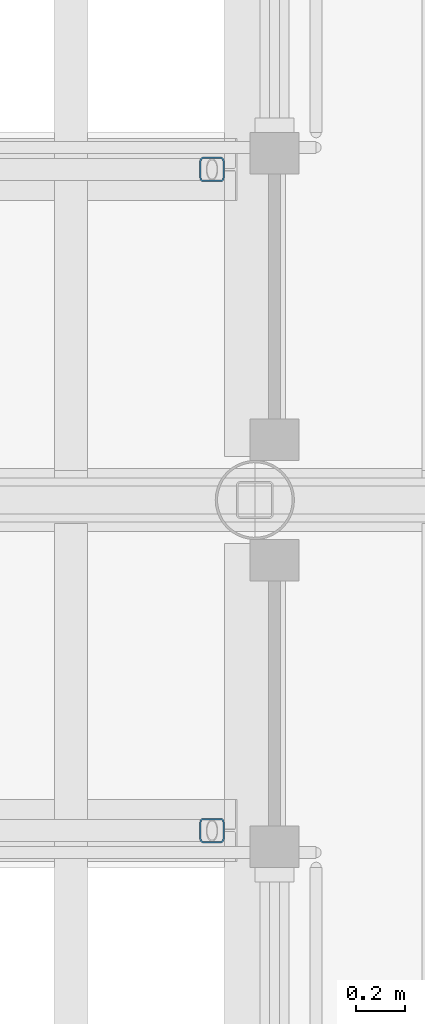
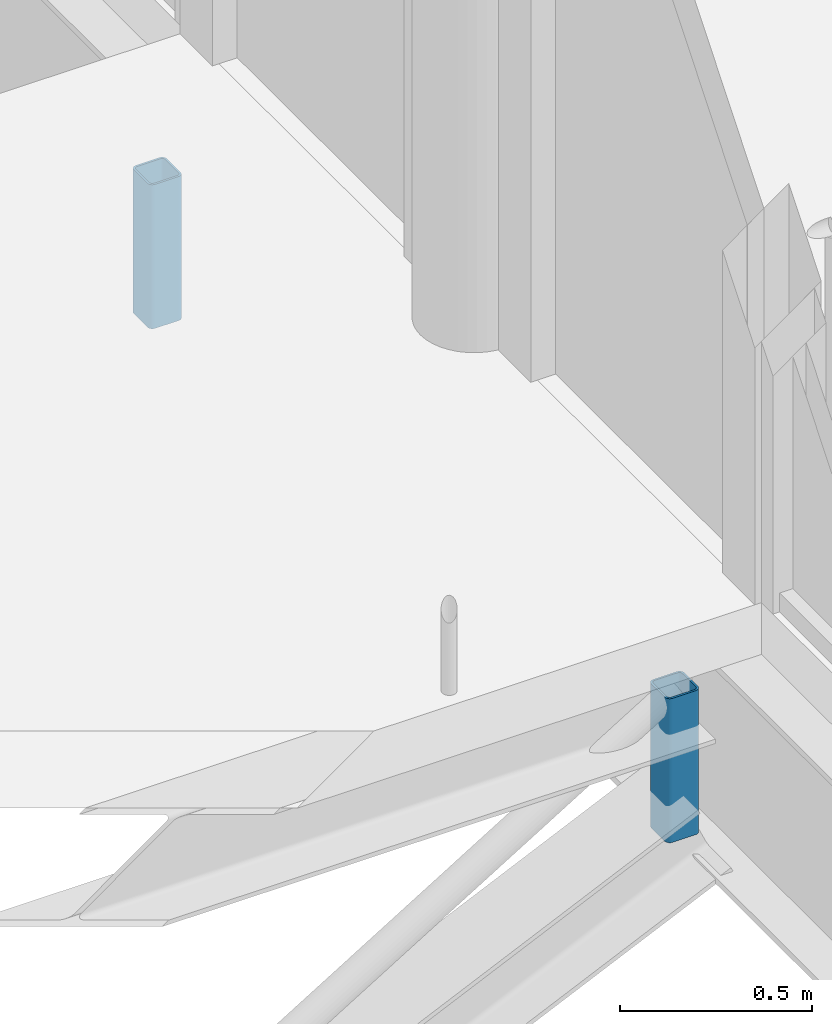
# One storey, part 29 of 44: 2 members.
"""IFC4 building model written with IfcOpenShell, lengths in metres."""

from ifc_helpers import new_model, si_unit, direction, frame, origin, origin_2d, place, context, subcontext, project, spatial, hollow_rectangle, extrude, material, material_profile, profile_set, type_object, element, save


model = new_model("IFC4")

# Units and contexts
model_context = context("Model", 3, precision=1e-05, world=origin(), true_north=direction((0.0, 1.0)))
body_context = subcontext(model_context, "Body", "Model", "MODEL_VIEW")
ifc_project = project(units=[si_unit("LENGTHUNIT", "METRE"), si_unit("AREAUNIT", "SQUARE_METRE"), si_unit("VOLUMEUNIT", "CUBIC_METRE"), si_unit("PLANEANGLEUNIT", "RADIAN"), si_unit("MASSUNIT", "GRAM", prefix="KILO")], contexts=[model_context])

# Site, building, storey
site_placement = place(None, origin())
site = spatial("IfcSite", under=ifc_project, at=site_placement, CompositionType="ELEMENT")
building_placement = place(site_placement, origin())
building = spatial("IfcBuilding", under=site, at=building_placement, Name="Halyard Row Museum", CompositionType="ELEMENT")
storey_placement = place(building_placement, frame((0.0, 0.0, 21.199951171875)))
storey = spatial("IfcBuildingStorey", under=building, at=storey_placement, Name="L04", CompositionType="ELEMENT", Elevation=21.199951171875)

# Members
ifc_material = material(Name="Steel Grade C350L0", Category="steel")
ifc_material_profile = material_profile(ifc_material, hollow_rectangle(XDim=0.10009765625, YDim=0.10009765625, WallThickness=0.006103515625, InnerFilletRadius=0.009033203125, OuterFilletRadius=0.014892578125, at=origin_2d()), Name="100x100x6.0SHS")
ifc_profile_set = profile_set([ifc_material_profile], Name="Steel Grade C350L0")
member_type = type_object("IfcMemberType", Name="Truss post 100x100x6.0SHS", PredefinedType="POST", material=ifc_profile_set)
for number, where, z_axis, x_axis, name in (
    (1, (98.824951171875, 16.64990234375, -0.750732421875), (0.0, 0.0, 1.0), (1.0, 0.0, 0.0), "BT2S post 7"),
    (2, (98.824951171875, 19.35009765625, -0.750732421875), (0.0, 0.0, 1.0), (1.0, 0.0, 0.0), "BT2N post 7"),
):
    element("IfcMember", number, at=place(storey_placement, frame(where, z_axis=z_axis, x_axis=x_axis)), inside=storey, type_object=member_type, Name=name, PredefinedType="POST", context=body_context, shape_type="SweptSolid", body=[
        extrude(hollow_rectangle(XDim=0.10009765625, YDim=0.10009765625, WallThickness=0.006103515625, InnerFilletRadius=0.009033203125, OuterFilletRadius=0.014892578125, at=origin_2d()), origin(), (0.0, 0.0, 1.0), 0.458984375),
    ])

save(model, "model.ifc")
